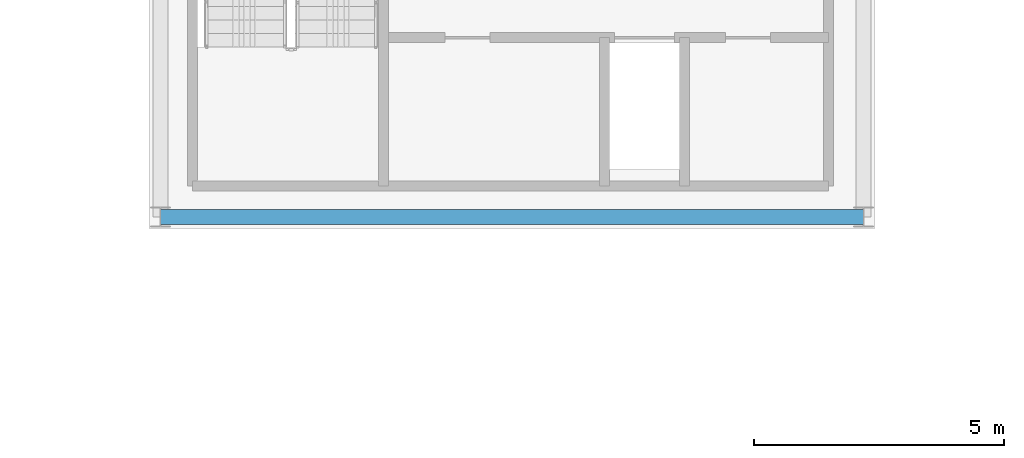
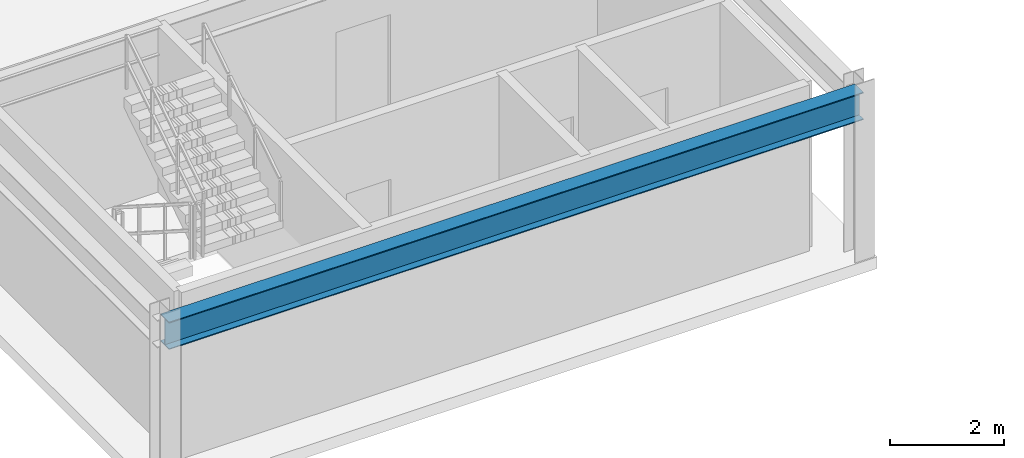
# One storey, part 5 of 27: 1 beam.
"""IFC4 building model written with IfcOpenShell, lengths in metres."""

from ifc_helpers import new_model, si_unit, direction, frame, origin, origin_2d, place, context, subcontext, project, spatial, i_section, extrude, source, transform, mapped, material, material_profile, profile_set, type_object, element, save


model = new_model("IFC4")

# Units and contexts
model_context = context("Model", 3, precision=1e-05, world=origin(), true_north=direction((0.0, 1.0)))
body_context = subcontext(model_context, "Body", "Model", "MODEL_VIEW")
ifc_project = project(units=[si_unit("LENGTHUNIT", "METRE"), si_unit("AREAUNIT", "SQUARE_METRE"), si_unit("VOLUMEUNIT", "CUBIC_METRE"), si_unit("PLANEANGLEUNIT", "RADIAN"), si_unit("MASSUNIT", "GRAM", prefix="KILO")], contexts=[model_context])

# Site, building, storey
site_placement = place(None, origin())
site = spatial("IfcSite", under=ifc_project, at=site_placement, CompositionType="ELEMENT")
building_placement = place(site_placement, origin())
building = spatial("IfcBuilding", under=site, at=building_placement, Name="Saelheon Loggia Tower", CompositionType="ELEMENT")
storey_placement = place(building_placement, frame((0.0, 0.0, 256.0)))
storey = spatial("IfcBuildingStorey", under=building, at=storey_placement, Name="CR2", CompositionType="ELEMENT", Elevation=256.0)

# Beam
ifc_material = material(Name="Steel SM355", Category="steel")
ifc_material_profile = material_profile(ifc_material, i_section(OverallWidth=0.300048828125, OverallDepth=0.587890625, WebThickness=0.011962890625, FlangeThickness=0.02001953125, at=origin_2d()), Name="H-588x300x12x20")
ifc_profile_set = profile_set([ifc_material_profile], Name="Steel SM355")
beam_type = type_object("IfcBeamType", Name="Beam_Girder_Steel_H588", PredefinedType="BEAM", material=ifc_profile_set)
shared_shape = source(origin(), body_context, "Body", "SweptSolid", [
    extrude(i_section(OverallWidth=0.300048828125, OverallDepth=0.587890625, WebThickness=0.011962890625, FlangeThickness=0.02001953125, at=origin_2d()), origin(), (0.0, 0.0, 1.0), 14.0400390625),
])
beam_placement = place(storey_placement, frame((30.97998046875, 17.47998046875, 3.256103515625), z_axis=(1.0, 0.0, 0.0), x_axis=(0.0, 1.0, 0.0)))
element("IfcBeam", 1, at=beam_placement, inside=storey, type_object=beam_type, Name="BM-CR2-PL-S", PredefinedType="BEAM", context=body_context, shape_type="MappedRepresentation", body=[
    mapped(shared_shape, transform((0.0, 0.0, 0.0), scale=1.0)),
])

save(model, "model.ifc")
